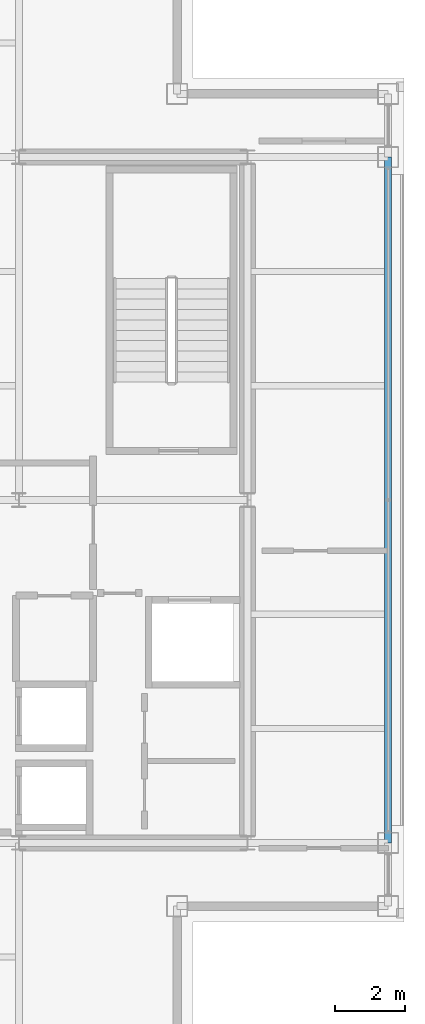
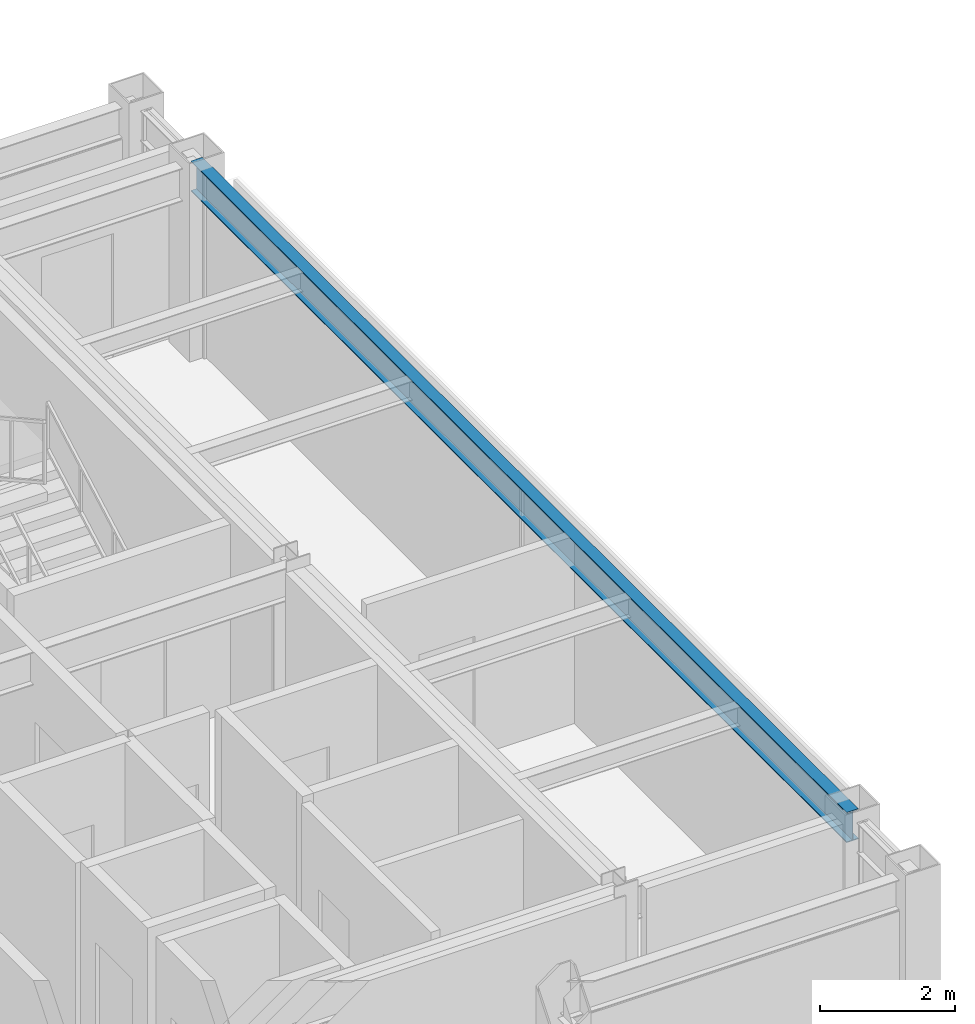
# One storey, part 11 of 20: 1 beam.
"""IFC4 building model written with IfcOpenShell, lengths in metres."""

from ifc_helpers import new_model, si_unit, direction, frame, origin, origin_2d, place, context, subcontext, project, spatial, i_section, extrude, material, material_profile, profile_set, type_object, element, save


model = new_model("IFC4")

# Units and contexts
model_context = context("Model", 3, precision=1e-05, world=origin(), true_north=direction((0.0, 1.0)))
body_context = subcontext(model_context, "Body", "Model", "MODEL_VIEW")
ifc_project = project(units=[si_unit("LENGTHUNIT", "METRE"), si_unit("AREAUNIT", "SQUARE_METRE"), si_unit("VOLUMEUNIT", "CUBIC_METRE"), si_unit("PLANEANGLEUNIT", "RADIAN"), si_unit("MASSUNIT", "GRAM", prefix="KILO")], contexts=[model_context])

# Site, building, storey
site_placement = place(None, origin())
site = spatial("IfcSite", under=ifc_project, at=site_placement, CompositionType="ELEMENT")
building_placement = place(site_placement, origin())
building = spatial("IfcBuilding", under=site, at=building_placement, Name="Brelmoor Portico Tower", CompositionType="ELEMENT")
storey_placement = place(building_placement, frame((0.0, 0.0, 272.39990234375)))
storey = spatial("IfcBuildingStorey", under=building, at=storey_placement, Name="L72", CompositionType="ELEMENT", Elevation=272.39990234375)

# Beam
ifc_material = material(Name="Steel Q355B", Category="steel")
ifc_material_profile = material_profile(ifc_material, i_section(OverallWidth=0.199951171875, OverallDepth=0.550048828125, WebThickness=0.010009765625, FlangeThickness=0.01611328125, at=origin_2d()), Name="HN 550x200x10x16")
ifc_profile_set = profile_set([ifc_material_profile], Name="Steel Q355B")
beam_type = type_object("IfcBeamType", Name="BM-SP-550", PredefinedType="SPANDREL", material=ifc_profile_set)
beam_placement = place(storey_placement, frame((18.550048828125, -9.75, 3.125), z_axis=(0.0, 1.0, 0.0), x_axis=(-1.0, 0.0, 0.0)))
element("IfcBeam", 1, at=beam_placement, inside=storey, type_object=beam_type, Name="L72 Perimeter Spandrel Beam SP-19", PredefinedType="SPANDREL", context=body_context, shape_type="SweptSolid", body=[
    extrude(i_section(OverallWidth=0.199951171875, OverallDepth=0.550048828125, WebThickness=0.010009765625, FlangeThickness=0.01611328125, at=origin_2d()), origin(), (0.0, 0.0, 1.0), 19.5),
])

save(model, "model.ifc")
